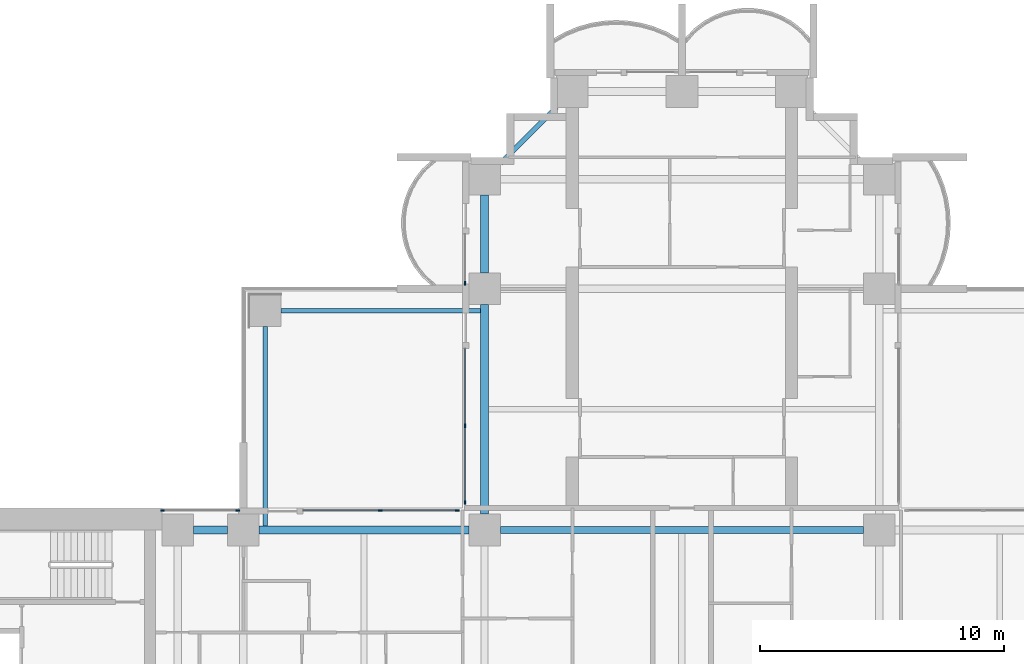
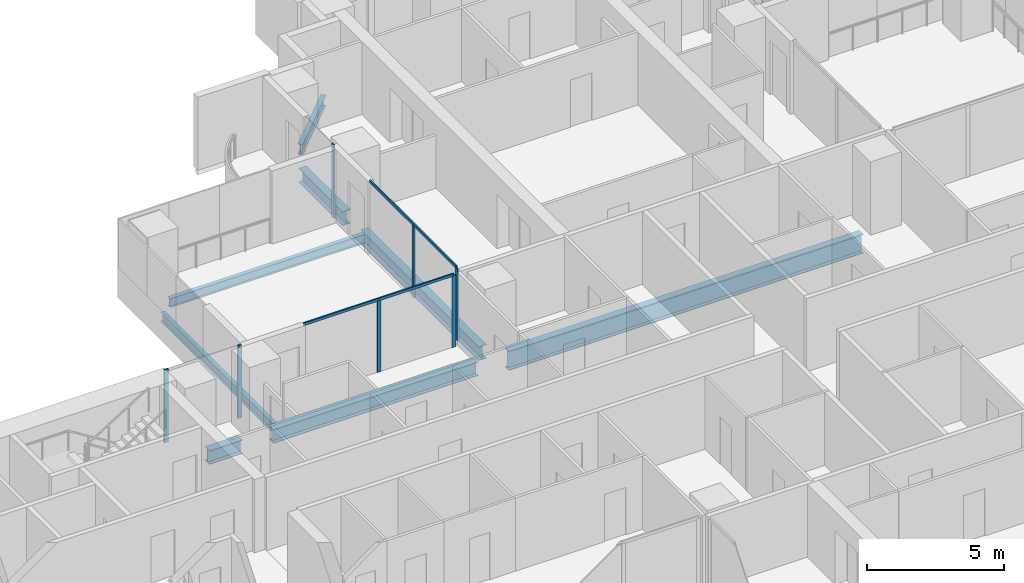
# One storey, part 5 of 21: 9 members, 8 beams, 4 elements without a shape of their own.
"""IFC4 building model written with IfcOpenShell, lengths in metres."""

from ifc_helpers import new_model, si_unit, direction, frame, origin, origin_2d, place, context, subcontext, project, spatial, rectangle, i_section, extrude, material, material_profile, profile_set, type_object, element, aggregate, save


model = new_model("IFC4")

# Units and contexts
model_context = context("Model", 3, precision=1e-05, world=origin(), true_north=direction((0.0, 1.0)))
body_context = subcontext(model_context, "Body", "Model", "MODEL_VIEW")
ifc_project = project(units=[si_unit("LENGTHUNIT", "METRE"), si_unit("AREAUNIT", "SQUARE_METRE"), si_unit("VOLUMEUNIT", "CUBIC_METRE"), si_unit("PLANEANGLEUNIT", "RADIAN"), si_unit("MASSUNIT", "GRAM", prefix="KILO")], contexts=[model_context])

# Site, building, storey
site_placement = place(None, origin())
site = spatial("IfcSite", under=ifc_project, at=site_placement, CompositionType="ELEMENT")
building_placement = place(site_placement, origin())
building = spatial("IfcBuilding", under=site, at=building_placement, Name="Perihelion Cross Residences", CompositionType="ELEMENT")
storey_placement = place(building_placement, frame((0.0, 0.0, 43.5)))
storey = spatial("IfcBuildingStorey", under=building, at=storey_placement, Name="L07", CompositionType="ELEMENT", Elevation=43.5)

# Curtain wall, member
ifc_material_1 = material(Name="Bronze anodised aluminium, tinted glazing", Category="aluminium")
curtain_wall_type = type_object("IfcCurtainWallType", Name="CW1", PredefinedType="NOTDEFINED", material=ifc_material_1)
curtain_wall_1_placement = place(storey_placement, origin())
curtain_wall_1 = element("IfcCurtainWall", 1, at=curtain_wall_1_placement, inside=storey, type_object=curtain_wall_type, Name="Curtain wall CW1 L07 north side west bay 1", PredefinedType="NOTDEFINED")
ifc_material_2 = material(Name="Bronze anodised aluminium", Category="aluminium")
ifc_material_profile_1 = material_profile(ifc_material_2, rectangle(XDim=0.06005859375, YDim=0.159912109375, at=origin_2d()), Name="CW1 mullion")
ifc_profile_set_1 = profile_set([ifc_material_profile_1], Name="Bronze anodised aluminium")
member_type_1 = type_object("IfcMemberType", Name="CW1 mullion", PredefinedType="MULLION", material=ifc_profile_set_1)
member_1_placement = place(storey_placement, frame((-8.89990234375, 18.22998046875, 0.0), z_axis=(0.0, 0.0, 1.0), x_axis=(1.0, 0.0, 0.0)))
member_1 = element("IfcMember", 2, at=member_1_placement, type_object=member_type_1, Name="CW1 mullion 2", PredefinedType="MULLION", context=body_context, shape_type="SweptSolid", body=[
    extrude(rectangle(XDim=0.06005859375, YDim=0.159912109375, at=origin_2d()), origin(), (0.0, 0.0, 1.0), 3.25),
])
aggregate(curtain_wall_1, [member_1])

# Curtain wall, members
curtain_wall_2_placement = place(storey_placement, origin())
curtain_wall_2 = element("IfcCurtainWall", 3, at=curtain_wall_2_placement, inside=storey, type_object=curtain_wall_type, Name="Curtain wall CW1 L07 north side west bay 2", PredefinedType="NOTDEFINED")
member_2_placement = place(storey_placement, frame((-8.89990234375, 12.375, 0.0), z_axis=(0.0, 0.0, 1.0), x_axis=(1.0, 0.0, 0.0)))
member_2 = element("IfcMember", 4, at=member_2_placement, type_object=member_type_1, Name="CW1 mullion 2", PredefinedType="MULLION", context=body_context, shape_type="SweptSolid", body=[
    extrude(rectangle(XDim=0.06005859375, YDim=0.159912109375, at=origin_2d()), origin(), (0.0, 0.0, 1.0), 3.18994140625),
])
member_3_placement = place(storey_placement, frame((-8.89990234375, 9.22998046875, 0.0), z_axis=(0.0, 0.0, 1.0), x_axis=(1.0, 0.0, 0.0)))
member_3 = element("IfcMember", 5, at=member_3_placement, type_object=member_type_1, Name="CW1 mullion 3", PredefinedType="MULLION", context=body_context, shape_type="SweptSolid", body=[
    extrude(rectangle(XDim=0.06005859375, YDim=0.159912109375, at=origin_2d()), origin(), (0.0, 0.0, 1.0), 3.18994140625),
])

curtain_wall_3_placement = place(storey_placement, origin())
curtain_wall_3 = element("IfcCurtainWall", 6, at=curtain_wall_3_placement, inside=storey, type_object=curtain_wall_type, Name="Curtain wall CW1 L07 west side north bay 1", PredefinedType="NOTDEFINED")
member_4_placement = place(storey_placement, frame((-9.22998046875, 8.89990234375, 0.0), z_axis=(0.0, 0.0, 1.0), x_axis=(0.0, -1.0, 0.0)))
member_4 = element("IfcMember", 7, at=member_4_placement, type_object=member_type_1, Name="CW1 mullion 1", PredefinedType="MULLION", context=body_context, shape_type="SweptSolid", body=[
    extrude(rectangle(XDim=0.06005859375, YDim=0.159912109375, at=origin_2d()), origin(), (0.0, 0.0, 1.0), 3.18994140625),
])
member_5_placement = place(storey_placement, frame((-12.375, 8.89990234375, 0.0), z_axis=(0.0, 0.0, 1.0), x_axis=(0.0, -1.0, 0.0)))
member_5 = element("IfcMember", 8, at=member_5_placement, type_object=member_type_1, Name="CW1 mullion 2", PredefinedType="MULLION", context=body_context, shape_type="SweptSolid", body=[
    extrude(rectangle(XDim=0.06005859375, YDim=0.159912109375, at=origin_2d()), origin(), (0.0, 0.0, 1.0), 3.18994140625),
])

curtain_wall_4_placement = place(storey_placement, origin())
curtain_wall_4 = element("IfcCurtainWall", 9, at=curtain_wall_4_placement, inside=storey, type_object=curtain_wall_type, Name="Curtain wall CW1 L07 west side north bay 2", PredefinedType="NOTDEFINED")
member_6_placement = place(storey_placement, frame((-18.22998046875, 8.89990234375, 0.0), z_axis=(0.0, 0.0, 1.0), x_axis=(0.0, -1.0, 0.0)))
member_6 = element("IfcMember", 10, at=member_6_placement, type_object=member_type_1, Name="CW1 mullion 1", PredefinedType="MULLION", context=body_context, shape_type="SweptSolid", body=[
    extrude(rectangle(XDim=0.06005859375, YDim=0.159912109375, at=origin_2d()), origin(), (0.0, 0.0, 1.0), 3.25),
])
member_7_placement = place(storey_placement, frame((-21.320068359375, 8.89990234375, 0.0), z_axis=(0.0, 0.0, 1.0), x_axis=(0.0, -1.0, 0.0)))
member_7 = element("IfcMember", 11, at=member_7_placement, type_object=member_type_1, Name="CW1 mullion 2", PredefinedType="MULLION", context=body_context, shape_type="SweptSolid", body=[
    extrude(rectangle(XDim=0.06005859375, YDim=0.159912109375, at=origin_2d()), origin(), (0.0, 0.0, 1.0), 3.25),
])
aggregate(curtain_wall_4, [member_6, member_7])

# Member
ifc_material_3 = material(Name="Bronze anodised aluminium", Category="aluminium")
ifc_material_profile_2 = material_profile(ifc_material_3, rectangle(XDim=0.06005859375, YDim=0.1201171875, at=origin_2d()), Name="CW1 transom")
ifc_profile_set_2 = profile_set([ifc_material_profile_2], Name="Bronze anodised aluminium")
member_type_2 = type_object("IfcMemberType", Name="CW1 transom", PredefinedType="USERDEFINED", material=ifc_profile_set_2)
member_8_placement = place(storey_placement, frame((-8.89990234375, 15.550048828125, 3.219970703125), z_axis=(0.0, -1.0, 0.0), x_axis=(1.0, 0.0, 0.0)))
member_8 = element("IfcMember", 12, at=member_8_placement, type_object=member_type_2, Name="CW1 head transom", ObjectType="TRANSOM", PredefinedType="USERDEFINED", context=body_context, shape_type="SweptSolid", body=[
    extrude(rectangle(XDim=0.06005859375, YDim=0.1201171875, at=origin_2d()), origin(), (0.0, 0.0, 1.0), 6.320068359375),
])

aggregate(curtain_wall_2, [member_2, member_3, member_8])

member_9_placement = place(storey_placement, frame((-9.22998046875, 8.89990234375, 3.219970703125), z_axis=(-1.0, 0.0, 0.0), x_axis=(0.0, -1.0, 0.0)))
member_9 = element("IfcMember", 13, at=member_9_placement, type_object=member_type_2, Name="CW1 head transom", ObjectType="TRANSOM", PredefinedType="USERDEFINED", context=body_context, shape_type="SweptSolid", body=[
    extrude(rectangle(XDim=0.06005859375, YDim=0.1201171875, at=origin_2d()), origin(), (0.0, 0.0, 1.0), 6.320068359375),
])

aggregate(curtain_wall_3, [member_4, member_5, member_9])

# Beams
ifc_material_4 = material(Name="Steel S355", Category="steel")
ifc_material_profile_3 = material_profile(ifc_material_4, i_section(OverallWidth=0.177978515625, OverallDepth=0.406005859375, WebThickness=0.0078125, FlangeThickness=0.0126953125, at=origin_2d()), Name="W410x60")
ifc_profile_set_3 = profile_set([ifc_material_profile_3], Name="Steel S355")
beam_type_1 = type_object("IfcBeamType", Name="Core edge beam W410x60", PredefinedType="BEAM", material=ifc_profile_set_3)
for number, where, z_axis, x_axis, name in (
    (14, (-17.10009765625, 8.262451171875, -0.452880859375), (0.0, 1.0, 0.0), (-1.0, 0.0, 0.0), "Core edge beam TB2 L07 corner no. 3"),
    (15, (-8.262451171875, 17.10009765625, -0.452880859375), (-1.0, 0.0, 0.0), (0.0, -1.0, 0.0), "Core edge beam TB2 L07 corner no. 4"),
):
    element("IfcBeam", number, at=place(storey_placement, frame(where, z_axis=z_axis, x_axis=x_axis)), inside=storey, type_object=beam_type_1, Name=name, PredefinedType="BEAM", context=body_context, shape_type="SweptSolid", body=[
        extrude(i_section(OverallWidth=0.177978515625, OverallDepth=0.406005859375, WebThickness=0.0078125, FlangeThickness=0.0126953125, at=origin_2d()), origin(), (0.0, 0.0, 1.0), 8.1875),
    ])
ifc_material_5 = material(Name="Steel S355", Category="steel")
ifc_material_profile_4 = material_profile(ifc_material_5, i_section(OverallWidth=0.324951171875, OverallDepth=0.616943359375, WebThickness=0.013916015625, FlangeThickness=0.021484375, at=origin_2d()), Name="W610x174")
ifc_profile_set_4 = profile_set([ifc_material_profile_4], Name="Steel S355")
beam_type_2 = type_object("IfcBeamType", Name="Edge beam W610x174", PredefinedType="SPANDREL", material=ifc_profile_set_4)
beam_1_placement = place(storey_placement, frame((-8.10009765625, 21.85009765625, -0.55859375), z_axis=(0.0, -1.0, 0.0), x_axis=(1.0, 0.0, 0.0)))
element("IfcBeam", 16, at=beam_1_placement, inside=storey, type_object=beam_type_2, Name="Edge beam SB2 L07 no. 8", PredefinedType="SPANDREL", context=body_context, shape_type="SweptSolid", body=[
    extrude(i_section(OverallWidth=0.324951171875, OverallDepth=0.616943359375, WebThickness=0.013916015625, FlangeThickness=0.021484375, at=origin_2d()), origin(), (0.0, 0.0, 1.0), 3.2001953125),
])
for number, where, z_axis, x_axis, name in (
    (17, (-8.10009765625, 17.35009765625, -0.55859375), (0.0, -1.0, 0.0), (1.0, 0.0, 0.0), "Edge beam SB2 L07 no. 7"),
    (18, (-8.75, 8.10009765625, -0.55859375), (-1.0, 0.0, 0.0), (0.0, -1.0, 0.0), "Edge beam SB2 L07 no. 9"),
):
    element("IfcBeam", number, at=place(storey_placement, frame(where, z_axis=z_axis, x_axis=x_axis)), inside=storey, type_object=beam_type_2, Name=name, PredefinedType="SPANDREL", context=body_context, shape_type="SweptSolid", body=[
        extrude(i_section(OverallWidth=0.324951171875, OverallDepth=0.616943359375, WebThickness=0.013916015625, FlangeThickness=0.021484375, at=origin_2d()), origin(), (0.0, 0.0, 1.0), 8.60009765625),
    ])
beam_2_placement = place(storey_placement, frame((-18.64990234375, 8.10009765625, -0.55859375), z_axis=(-1.0, 0.0, 0.0), x_axis=(0.0, -1.0, 0.0)))
element("IfcBeam", 19, at=beam_2_placement, inside=storey, type_object=beam_type_2, Name="Edge beam SB2 L07 no. 2", PredefinedType="SPANDREL", context=body_context, shape_type="SweptSolid", body=[
    extrude(i_section(OverallWidth=0.324951171875, OverallDepth=0.616943359375, WebThickness=0.013916015625, FlangeThickness=0.021484375, at=origin_2d()), origin(), (0.0, 0.0, 1.0), 1.400146484375),
])
ifc_material_6 = material(Name="Steel S355", Category="steel")
ifc_material_profile_5 = material_profile(ifc_material_6, i_section(OverallWidth=0.2919921875, OverallDepth=0.85888671875, WebThickness=0.01708984375, FlangeThickness=0.031005859375, at=origin_2d()), Name="W840x251")
ifc_profile_set_5 = profile_set([ifc_material_profile_5], Name="Steel S355")
beam_type_3 = type_object("IfcBeamType", Name="Hub ring girder W840x251", PredefinedType="BEAM", material=ifc_profile_set_5)
beam_3_placement = place(storey_placement, frame((7.449951171875, 8.10009765625, -0.679443359375), z_axis=(-1.0, 0.0, 0.0), x_axis=(0.0, -1.0, 0.0)))
element("IfcBeam", 20, at=beam_3_placement, inside=storey, type_object=beam_type_3, Name="Hub ring girder RG2 L07 no. 4", PredefinedType="BEAM", context=body_context, shape_type="SweptSolid", body=[
    extrude(i_section(OverallWidth=0.2919921875, OverallDepth=0.85888671875, WebThickness=0.01708984375, FlangeThickness=0.031005859375, at=origin_2d()), origin(), (0.0, 0.0, 1.0), 14.89990234375),
])
ifc_material_7 = material(Name="Steel S355", Category="steel")
ifc_material_profile_6 = material_profile(ifc_material_7, i_section(OverallWidth=0.194091796875, OverallDepth=0.469970703125, WebThickness=0.0126953125, FlangeThickness=0.0205078125, at=origin_2d()), Name="W460x106")
ifc_profile_set_6 = profile_set([ifc_material_profile_6], Name="Steel S355")
beam_type_4 = type_object("IfcBeamType", Name="Serration edge beam W460x106", PredefinedType="BEAM", material=ifc_profile_set_6)
beam_4_placement = place(storey_placement, frame((-5.14990234375, 25.449951171875, -0.485107421875), z_axis=(-0.707106781187, -0.707106781187, 0.0), x_axis=(0.707106781187, -0.707106781187, 0.0)))
element("IfcBeam", 21, at=beam_4_placement, inside=storey, type_object=beam_type_4, Name="Serration edge beam EB2 L07 no. 1", PredefinedType="BEAM", context=body_context, shape_type="SweptSolid", body=[
    extrude(i_section(OverallWidth=0.194091796875, OverallDepth=0.469970703125, WebThickness=0.0126953125, FlangeThickness=0.0205078125, at=origin_2d()), origin(), (0.0, 0.0, 1.0), 3.252685546875),
])

save(model, "model.ifc")
